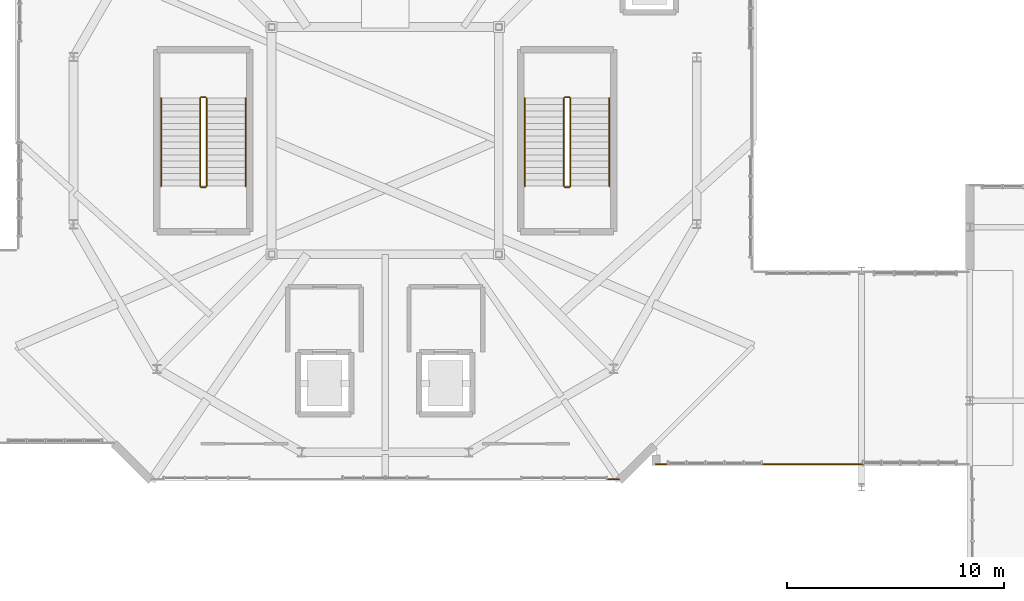
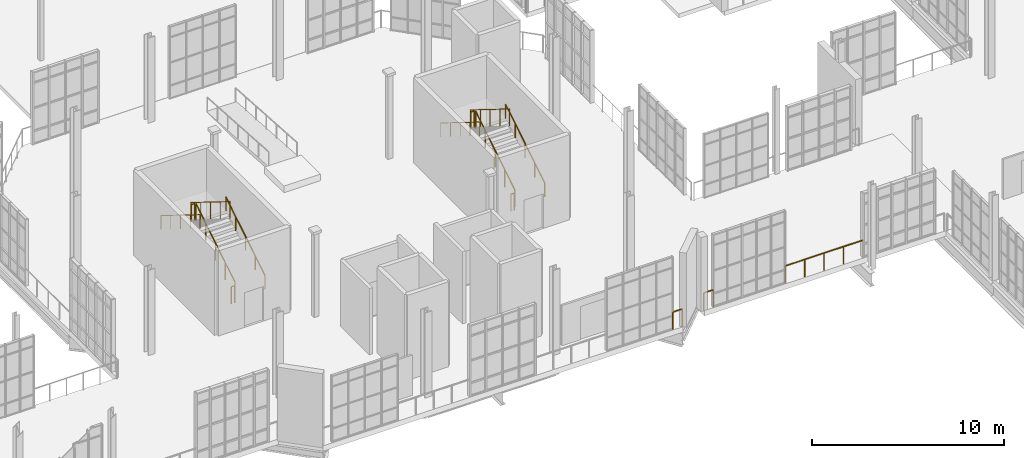
# One storey, part 183 of 189: 15 railings.
"""IFC4 building model written with IfcOpenShell, lengths in metres."""

from ifc_helpers import new_model, si_unit, direction, frame, origin, origin_2d, place, context, subcontext, project, spatial, circle, extrude, material, type_object, element, save


model = new_model("IFC4")

# Units and contexts
model_context = context("Model", 3, precision=1e-05, world=origin(), true_north=direction((0.0, 1.0)))
body_context = subcontext(model_context, "Body", "Model", "MODEL_VIEW")
ifc_project = project(units=[si_unit("LENGTHUNIT", "METRE"), si_unit("AREAUNIT", "SQUARE_METRE"), si_unit("VOLUMEUNIT", "CUBIC_METRE"), si_unit("PLANEANGLEUNIT", "RADIAN"), si_unit("MASSUNIT", "GRAM", prefix="KILO"), si_unit("THERMODYNAMICTEMPERATUREUNIT", "KELVIN"), si_unit("POWERUNIT", "WATT")], contexts=[model_context])

# Site, building, storey
site_placement = place(None, origin())
site = spatial("IfcSite", under=ifc_project, at=site_placement, CompositionType="ELEMENT")
building_placement = place(site_placement, origin())
building = spatial("IfcBuilding", under=site, at=building_placement, Name="Zelmaris Science Centre", CompositionType="ELEMENT")
storey_placement = place(building_placement, origin())
storey = spatial("IfcBuildingStorey", under=building, at=storey_placement, Name="L00", CompositionType="ELEMENT", Elevation=0.0)

# Railings
ifc_material = material(Name="Architectural bronze alloy C28000")
railing_type_1 = type_object("IfcRailingType", Name="Balustrade GD-01 H1120", PredefinedType="BALUSTRADE", material=ifc_material)
railing_1_placement = place(storey_placement, frame((103.064453125, 21.059326171875, 0.0)))
element("IfcRailing", 1, at=railing_1_placement, inside=storey, type_object=railing_type_1, Name="L00 Perimeter safety balustrade 39", PredefinedType="BALUSTRADE", context=body_context, shape_type="SweptSolid", body=[
    extrude(circle(Radius=0.02392578125, at=origin_2d()), frame((0.0, 0.0, 1.09619140625), z_axis=(-0.999999994551, 0.00010439503, 0.0), x_axis=(-0.00010439503, -0.999999994551, 0.0)), (0.0, 0.0, 1.0), 4.67724609375),
    extrude(circle(Radius=0.02099609375, at=origin_2d()), origin(), (0.0, 0.0, 1.0), 1.072021484375),
    extrude(circle(Radius=0.02099609375, at=origin_2d()), frame((-1.16943359375, 0.0, 0.0)), (0.0, 0.0, 1.0), 1.072021484375),
    extrude(circle(Radius=0.02099609375, at=origin_2d()), frame((-2.338623046875, 0.000244140625, 0.0)), (0.0, 0.0, 1.0), 1.072021484375),
    extrude(circle(Radius=0.02099609375, at=origin_2d()), frame((-3.5078125, 0.00048828125, 0.0)), (0.0, 0.0, 1.0), 1.072021484375),
    extrude(circle(Radius=0.02099609375, at=origin_2d()), frame((-4.67724609375, 0.00048828125, 0.0)), (0.0, 0.0, 1.0), 1.072021484375),
])
for number, where, name in (
    (2, (94.070068359375, 21.06005859375, 0.0), "L00 Perimeter safety balustrade 40"),
    (3, (91.800048828125, 20.360107421875, 0.0), "L00 Perimeter safety balustrade 41"),
):
    element("IfcRailing", number, at=place(storey_placement, frame(where)), inside=storey, type_object=railing_type_1, Name=name, PredefinedType="BALUSTRADE", context=body_context, shape_type="SweptSolid", body=[
        extrude(circle(Radius=0.02392578125, at=origin_2d()), frame((0.0, 0.0, 1.09619140625), z_axis=(-1.0, 0.0, 0.0), x_axis=(0.0, -1.0, 0.0)), (0.0, 0.0, 1.0), 0.570068359375),
        extrude(circle(Radius=0.02099609375, at=origin_2d()), origin(), (0.0, 0.0, 1.0), 1.072021484375),
        extrude(circle(Radius=0.02099609375, at=origin_2d()), frame((-0.570068359375, 0.0, 0.0)), (0.0, 0.0, 1.0), 1.072021484375),
    ])
railing_2_placement = place(storey_placement, frame((72.75, 33.89990234375, 0.179931640625)))
element("IfcRailing", 4, at=railing_2_placement, inside=storey, type_object=railing_type_1, Name="L00 ST-1 stair guard 1", PredefinedType="BALUSTRADE", context=body_context, shape_type="SweptSolid", body=[
    extrude(circle(Radius=0.02392578125, at=origin_2d()), frame((0.0, 0.0, 1.076171875), z_axis=(0.0, 0.849641744969, 0.527360318194), x_axis=(-1.0, 0.0, 0.0)), (0.0, 0.0, 1.0), 4.778564453125),
    extrude(circle(Radius=0.02099609375, at=origin_2d()), origin(), (0.0, 0.0, 1.0), 1.052001953125),
    extrude(circle(Radius=0.02099609375, at=origin_2d()), frame((0.0, 1.01513671875, 0.6298828125)), (0.0, 0.0, 1.0), 1.052001953125),
    extrude(circle(Radius=0.02099609375, at=origin_2d()), frame((0.0, 2.030029296875, 1.260009765625)), (0.0, 0.0, 1.0), 1.052001953125),
    extrude(circle(Radius=0.02099609375, at=origin_2d()), frame((0.0, 3.044921875, 1.89013671875)), (0.0, 0.0, 1.0), 1.052001953125),
    extrude(circle(Radius=0.02099609375, at=origin_2d()), frame((0.0, 4.06005859375, 2.52001953125)), (0.0, 0.0, 1.0), 1.052001953125),
])
railing_3_placement = place(storey_placement, frame((72.699951171875, 38.010009765625, 2.699951171875)))
element("IfcRailing", 5, at=railing_3_placement, inside=storey, type_object=railing_type_1, Name="L00 ST-1 stair guard 2", PredefinedType="BALUSTRADE", context=body_context, shape_type="SweptSolid", body=[
    extrude(circle(Radius=0.02392578125, at=origin_2d()), frame((0.0, 0.0, 1.076171875), z_axis=(-1.0, 0.0, 0.0), x_axis=(0.0, -1.0, 0.0)), (0.0, 0.0, 1.0), 0.199951171875),
    extrude(circle(Radius=0.02099609375, at=origin_2d()), origin(), (0.0, 0.0, 1.0), 1.052001953125),
    extrude(circle(Radius=0.02099609375, at=origin_2d()), frame((-0.199951171875, 0.0, 0.0)), (0.0, 0.0, 1.0), 1.052001953125),
])
railing_4_placement = place(storey_placement, frame((72.449951171875, 37.9599609375, 2.8798828125)))
element("IfcRailing", 6, at=railing_4_placement, inside=storey, type_object=railing_type_1, Name="L00 ST-1 stair guard 3", PredefinedType="BALUSTRADE", context=body_context, shape_type="SweptSolid", body=[
    extrude(circle(Radius=0.02392578125, at=origin_2d()), frame((0.0, 0.0, 1.076171875), z_axis=(0.0, -0.849641744969, 0.527360318194), x_axis=(1.0, 0.0, 0.0)), (0.0, 0.0, 1.0), 4.778564453125),
    extrude(circle(Radius=0.02099609375, at=origin_2d()), origin(), (0.0, 0.0, 1.0), 1.052001953125),
    extrude(circle(Radius=0.02099609375, at=origin_2d()), frame((0.0, -1.01513671875, 0.6298828125)), (0.0, 0.0, 1.0), 1.052001953125),
    extrude(circle(Radius=0.02099609375, at=origin_2d()), frame((0.0, -2.030029296875, 1.260009765625)), (0.0, 0.0, 1.0), 1.052001953125),
    extrude(circle(Radius=0.02099609375, at=origin_2d()), frame((0.0, -3.044921875, 1.89013671875)), (0.0, 0.0, 1.0), 1.052001953125),
    extrude(circle(Radius=0.02099609375, at=origin_2d()), frame((0.0, -4.06005859375, 2.52001953125)), (0.0, 0.0, 1.0), 1.052001953125),
])
railing_5_placement = place(storey_placement, frame((72.699951171875, 33.85009765625, 0.0)))
element("IfcRailing", 7, at=railing_5_placement, inside=storey, type_object=railing_type_1, Name="L00 ST-1 stair guard 4", PredefinedType="BALUSTRADE", context=body_context, shape_type="SweptSolid", body=[
    extrude(circle(Radius=0.02392578125, at=origin_2d()), frame((0.0, 0.0, 1.076171875), z_axis=(-1.0, 0.0, 0.0), x_axis=(0.0, -1.0, 0.0)), (0.0, 0.0, 1.0), 0.199951171875),
    extrude(circle(Radius=0.02099609375, at=origin_2d()), origin(), (0.0, 0.0, 1.0), 1.052001953125),
    extrude(circle(Radius=0.02099609375, at=origin_2d()), frame((-0.199951171875, 0.0, 0.0)), (0.0, 0.0, 1.0), 1.052001953125),
])
railing_6_placement = place(storey_placement, frame((89.550048828125, 33.89990234375, 0.179931640625)))
element("IfcRailing", 8, at=railing_6_placement, inside=storey, type_object=railing_type_1, Name="L00 ST-2 stair guard 1", PredefinedType="BALUSTRADE", context=body_context, shape_type="SweptSolid", body=[
    extrude(circle(Radius=0.02392578125, at=origin_2d()), frame((0.0, 0.0, 1.076171875), z_axis=(0.0, 0.849641744969, 0.527360318194), x_axis=(-1.0, 0.0, 0.0)), (0.0, 0.0, 1.0), 4.778564453125),
    extrude(circle(Radius=0.02099609375, at=origin_2d()), origin(), (0.0, 0.0, 1.0), 1.052001953125),
    extrude(circle(Radius=0.02099609375, at=origin_2d()), frame((0.0, 1.01513671875, 0.6298828125)), (0.0, 0.0, 1.0), 1.052001953125),
    extrude(circle(Radius=0.02099609375, at=origin_2d()), frame((0.0, 2.030029296875, 1.260009765625)), (0.0, 0.0, 1.0), 1.052001953125),
    extrude(circle(Radius=0.02099609375, at=origin_2d()), frame((0.0, 3.044921875, 1.89013671875)), (0.0, 0.0, 1.0), 1.052001953125),
    extrude(circle(Radius=0.02099609375, at=origin_2d()), frame((0.0, 4.06005859375, 2.52001953125)), (0.0, 0.0, 1.0), 1.052001953125),
])
railing_7_placement = place(storey_placement, frame((89.5, 38.010009765625, 2.699951171875)))
element("IfcRailing", 9, at=railing_7_placement, inside=storey, type_object=railing_type_1, Name="L00 ST-2 stair guard 2", PredefinedType="BALUSTRADE", context=body_context, shape_type="SweptSolid", body=[
    extrude(circle(Radius=0.02392578125, at=origin_2d()), frame((0.0, 0.0, 1.076171875), z_axis=(-1.0, 0.0, 0.0), x_axis=(0.0, -1.0, 0.0)), (0.0, 0.0, 1.0), 0.199951171875),
    extrude(circle(Radius=0.02099609375, at=origin_2d()), origin(), (0.0, 0.0, 1.0), 1.052001953125),
    extrude(circle(Radius=0.02099609375, at=origin_2d()), frame((-0.199951171875, 0.0, 0.0)), (0.0, 0.0, 1.0), 1.052001953125),
])
railing_8_placement = place(storey_placement, frame((89.25, 37.9599609375, 2.8798828125)))
element("IfcRailing", 10, at=railing_8_placement, inside=storey, type_object=railing_type_1, Name="L00 ST-2 stair guard 3", PredefinedType="BALUSTRADE", context=body_context, shape_type="SweptSolid", body=[
    extrude(circle(Radius=0.02392578125, at=origin_2d()), frame((0.0, 0.0, 1.076171875), z_axis=(0.0, -0.849641744969, 0.527360318194), x_axis=(1.0, 0.0, 0.0)), (0.0, 0.0, 1.0), 4.778564453125),
    extrude(circle(Radius=0.02099609375, at=origin_2d()), origin(), (0.0, 0.0, 1.0), 1.052001953125),
    extrude(circle(Radius=0.02099609375, at=origin_2d()), frame((0.0, -1.01513671875, 0.6298828125)), (0.0, 0.0, 1.0), 1.052001953125),
    extrude(circle(Radius=0.02099609375, at=origin_2d()), frame((0.0, -2.030029296875, 1.260009765625)), (0.0, 0.0, 1.0), 1.052001953125),
    extrude(circle(Radius=0.02099609375, at=origin_2d()), frame((0.0, -3.044921875, 1.89013671875)), (0.0, 0.0, 1.0), 1.052001953125),
    extrude(circle(Radius=0.02099609375, at=origin_2d()), frame((0.0, -4.06005859375, 2.52001953125)), (0.0, 0.0, 1.0), 1.052001953125),
])
railing_9_placement = place(storey_placement, frame((89.5, 33.85009765625, 0.0)))
element("IfcRailing", 11, at=railing_9_placement, inside=storey, type_object=railing_type_1, Name="L00 ST-2 stair guard 4", PredefinedType="BALUSTRADE", context=body_context, shape_type="SweptSolid", body=[
    extrude(circle(Radius=0.02392578125, at=origin_2d()), frame((0.0, 0.0, 1.076171875), z_axis=(-1.0, 0.0, 0.0), x_axis=(0.0, -1.0, 0.0)), (0.0, 0.0, 1.0), 0.199951171875),
    extrude(circle(Radius=0.02099609375, at=origin_2d()), origin(), (0.0, 0.0, 1.0), 1.052001953125),
    extrude(circle(Radius=0.02099609375, at=origin_2d()), frame((-0.199951171875, 0.0, 0.0)), (0.0, 0.0, 1.0), 1.052001953125),
])
railing_type_2 = type_object("IfcRailingType", Name="Handrail HR-01 H900", PredefinedType="HANDRAIL", material=ifc_material)
railing_10_placement = place(storey_placement, frame((74.550048828125, 33.89990234375, 0.179931640625)))
element("IfcRailing", 12, at=railing_10_placement, inside=storey, type_object=railing_type_2, Name="L00 ST-1 stair handrail 1", PredefinedType="HANDRAIL", context=body_context, shape_type="SweptSolid", body=[
    extrude(circle(Radius=0.02392578125, at=origin_2d()), frame((0.0, 0.0, 0.8759765625), z_axis=(0.0, 0.849641744969, 0.527360318194), x_axis=(-1.0, 0.0, 0.0)), (0.0, 0.0, 1.0), 4.778564453125),
    extrude(circle(Radius=0.02099609375, at=origin_2d()), origin(), (0.0, 0.0, 1.0), 0.851806640625),
    extrude(circle(Radius=0.02099609375, at=origin_2d()), frame((0.0, 1.01513671875, 0.6298828125)), (0.0, 0.0, 1.0), 0.851806640625),
    extrude(circle(Radius=0.02099609375, at=origin_2d()), frame((0.0, 2.030029296875, 1.260009765625)), (0.0, 0.0, 1.0), 0.851806640625),
    extrude(circle(Radius=0.02099609375, at=origin_2d()), frame((0.0, 3.044921875, 1.89013671875)), (0.0, 0.0, 1.0), 0.851806640625),
    extrude(circle(Radius=0.02099609375, at=origin_2d()), frame((0.0, 4.06005859375, 2.52001953125)), (0.0, 0.0, 1.0), 0.851806640625),
])
railing_11_placement = place(storey_placement, frame((70.64990234375, 37.9599609375, 2.8798828125)))
element("IfcRailing", 13, at=railing_11_placement, inside=storey, type_object=railing_type_2, Name="L00 ST-1 stair handrail 2", PredefinedType="HANDRAIL", context=body_context, shape_type="SweptSolid", body=[
    extrude(circle(Radius=0.02392578125, at=origin_2d()), frame((0.0, 0.0, 0.8759765625), z_axis=(0.0, -0.849641744969, 0.527360318194), x_axis=(1.0, 0.0, 0.0)), (0.0, 0.0, 1.0), 4.778564453125),
    extrude(circle(Radius=0.02099609375, at=origin_2d()), origin(), (0.0, 0.0, 1.0), 0.851806640625),
    extrude(circle(Radius=0.02099609375, at=origin_2d()), frame((0.0, -1.01513671875, 0.6298828125)), (0.0, 0.0, 1.0), 0.851806640625),
    extrude(circle(Radius=0.02099609375, at=origin_2d()), frame((0.0, -2.030029296875, 1.260009765625)), (0.0, 0.0, 1.0), 0.851806640625),
    extrude(circle(Radius=0.02099609375, at=origin_2d()), frame((0.0, -3.044921875, 1.89013671875)), (0.0, 0.0, 1.0), 0.851806640625),
    extrude(circle(Radius=0.02099609375, at=origin_2d()), frame((0.0, -4.06005859375, 2.52001953125)), (0.0, 0.0, 1.0), 0.851806640625),
])
railing_12_placement = place(storey_placement, frame((91.35009765625, 33.89990234375, 0.179931640625)))
element("IfcRailing", 14, at=railing_12_placement, inside=storey, type_object=railing_type_2, Name="L00 ST-2 stair handrail 1", PredefinedType="HANDRAIL", context=body_context, shape_type="SweptSolid", body=[
    extrude(circle(Radius=0.02392578125, at=origin_2d()), frame((0.0, 0.0, 0.8759765625), z_axis=(0.0, 0.849641744969, 0.527360318194), x_axis=(-1.0, 0.0, 0.0)), (0.0, 0.0, 1.0), 4.778564453125),
    extrude(circle(Radius=0.02099609375, at=origin_2d()), origin(), (0.0, 0.0, 1.0), 0.851806640625),
    extrude(circle(Radius=0.02099609375, at=origin_2d()), frame((0.0, 1.01513671875, 0.6298828125)), (0.0, 0.0, 1.0), 0.851806640625),
    extrude(circle(Radius=0.02099609375, at=origin_2d()), frame((0.0, 2.030029296875, 1.260009765625)), (0.0, 0.0, 1.0), 0.851806640625),
    extrude(circle(Radius=0.02099609375, at=origin_2d()), frame((0.0, 3.044921875, 1.89013671875)), (0.0, 0.0, 1.0), 0.851806640625),
    extrude(circle(Radius=0.02099609375, at=origin_2d()), frame((0.0, 4.06005859375, 2.52001953125)), (0.0, 0.0, 1.0), 0.851806640625),
])
railing_13_placement = place(storey_placement, frame((87.449951171875, 37.9599609375, 2.8798828125)))
element("IfcRailing", 15, at=railing_13_placement, inside=storey, type_object=railing_type_2, Name="L00 ST-2 stair handrail 2", PredefinedType="HANDRAIL", context=body_context, shape_type="SweptSolid", body=[
    extrude(circle(Radius=0.02392578125, at=origin_2d()), frame((0.0, 0.0, 0.8759765625), z_axis=(0.0, -0.849641744969, 0.527360318194), x_axis=(1.0, 0.0, 0.0)), (0.0, 0.0, 1.0), 4.778564453125),
    extrude(circle(Radius=0.02099609375, at=origin_2d()), origin(), (0.0, 0.0, 1.0), 0.851806640625),
    extrude(circle(Radius=0.02099609375, at=origin_2d()), frame((0.0, -1.01513671875, 0.6298828125)), (0.0, 0.0, 1.0), 0.851806640625),
    extrude(circle(Radius=0.02099609375, at=origin_2d()), frame((0.0, -2.030029296875, 1.260009765625)), (0.0, 0.0, 1.0), 0.851806640625),
    extrude(circle(Radius=0.02099609375, at=origin_2d()), frame((0.0, -3.044921875, 1.89013671875)), (0.0, 0.0, 1.0), 0.851806640625),
    extrude(circle(Radius=0.02099609375, at=origin_2d()), frame((0.0, -4.06005859375, 2.52001953125)), (0.0, 0.0, 1.0), 0.851806640625),
])

save(model, "model.ifc")
